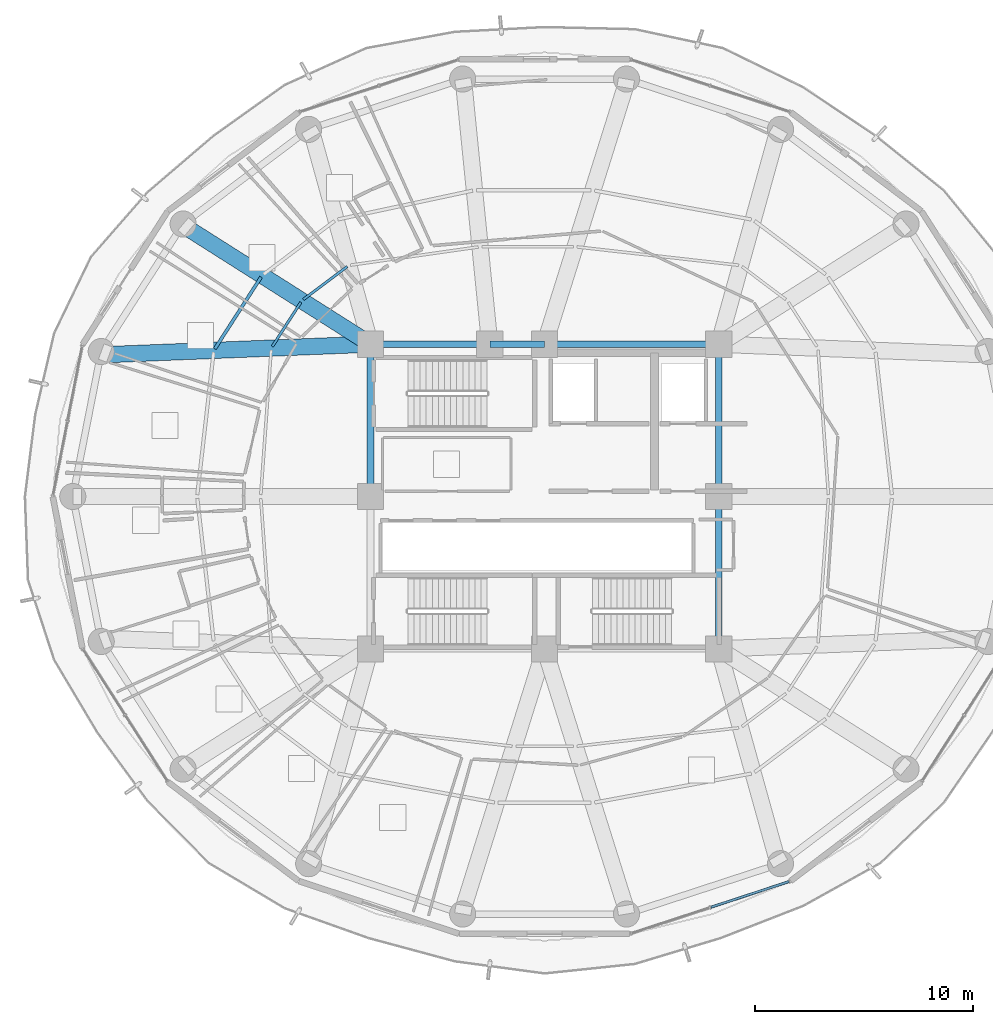
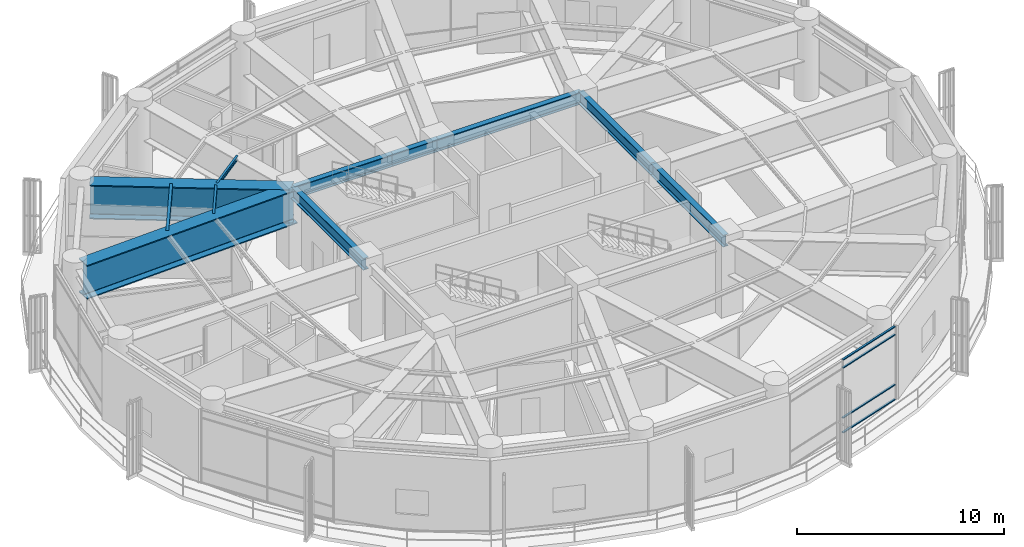
# One storey, part 9 of 28: 11 beams, 4 members, 1 element without a shape of its own.
"""IFC4 building model written with IfcOpenShell, lengths in metres."""

from ifc_helpers import new_model, si_unit, direction, frame, origin, origin_2d, place, context, subcontext, project, spatial, hollow_rectangle, i_section, extrude, material, layer, layer_set, material_profile, profile_set, type_object, element, aggregate, save


model = new_model("IFC4")

# Units and contexts
model_context = context("Model", 3, precision=1e-05, world=origin(), true_north=direction((0.0, 1.0)))
body_context = subcontext(model_context, "Body", "Model", "MODEL_VIEW")
ifc_project = project(units=[si_unit("LENGTHUNIT", "METRE"), si_unit("AREAUNIT", "SQUARE_METRE"), si_unit("VOLUMEUNIT", "CUBIC_METRE"), si_unit("PLANEANGLEUNIT", "RADIAN"), si_unit("MASSUNIT", "GRAM", prefix="KILO")], contexts=[model_context])

# Site, building, storey
site_placement = place(None, origin())
site = spatial("IfcSite", under=ifc_project, at=site_placement, CompositionType="ELEMENT")
building_placement = place(site_placement, origin())
building = spatial("IfcBuilding", under=site, at=building_placement, Name="Kelanora Arch Commons", CompositionType="ELEMENT")
storey_placement = place(building_placement, frame((0.0, 0.0, 184.35009765625)))
storey = spatial("IfcBuildingStorey", under=building, at=storey_placement, Name="L47", CompositionType="ELEMENT", Elevation=184.35009765625)

# Beams
ifc_material_1 = material(Name="Steel S355", Category="steel")
ifc_material_profile_1 = material_profile(ifc_material_1, i_section(OverallWidth=0.300048828125, OverallDepth=0.699951171875, WebThickness=0.01708984375, FlangeThickness=0.031982421875, FilletRadius=0.027099609375, at=origin_2d()), Name="HEB700")
ifc_profile_set_1 = profile_set([ifc_material_profile_1], Name="Steel S355")
beam_type_1 = type_object("IfcBeamType", Name="BM-CORE-HDR", PredefinedType="BEAM", material=ifc_profile_set_1)
for number, where, z_axis, x_axis, name in (
    (1, (82.0, 51.0, 4.010009765625), (0.0, 1.0, 0.0), (-1.0, 0.0, 0.0), "Core Header Beam 03 L47"),
    (2, (82.0, 58.0, 4.010009765625), (0.0, 1.0, 0.0), (-1.0, 0.0, 0.0), "Core Header Beam 04 L47"),
):
    element("IfcBeam", number, at=place(storey_placement, frame(where, z_axis=z_axis, x_axis=x_axis)), inside=storey, type_object=beam_type_1, Name=name, PredefinedType="BEAM", context=body_context, shape_type="SweptSolid", body=[
        extrude(i_section(OverallWidth=0.300048828125, OverallDepth=0.699951171875, WebThickness=0.01708984375, FlangeThickness=0.031982421875, FilletRadius=0.027099609375, at=origin_2d()), origin(), (0.0, 0.0, 1.0), 7.0),
    ])
beam_1_placement = place(storey_placement, frame((82.0, 65.0, 4.010009765625), z_axis=(-1.0, 0.0, 0.0), x_axis=(0.0, -1.0, 0.0)))
element("IfcBeam", 3, at=beam_1_placement, inside=storey, type_object=beam_type_1, Name="Core Header Beam 05 L47", PredefinedType="BEAM", context=body_context, shape_type="SweptSolid", body=[
    extrude(i_section(OverallWidth=0.300048828125, OverallDepth=0.699951171875, WebThickness=0.01708984375, FlangeThickness=0.031982421875, FilletRadius=0.027099609375, at=origin_2d()), origin(), (0.0, 0.0, 1.0), 8.0),
])
beam_2_placement = place(storey_placement, frame((74.0, 65.0, 4.010009765625), z_axis=(-1.0, 0.0, 0.0), x_axis=(0.0, -1.0, 0.0)))
element("IfcBeam", 4, at=beam_2_placement, inside=storey, type_object=beam_type_1, Name="Core Header Beam 06 L47", PredefinedType="BEAM", context=body_context, shape_type="SweptSolid", body=[
    extrude(i_section(OverallWidth=0.300048828125, OverallDepth=0.699951171875, WebThickness=0.01708984375, FlangeThickness=0.031982421875, FilletRadius=0.027099609375, at=origin_2d()), origin(), (0.0, 0.0, 1.0), 2.52001953125),
])
beam_3_placement = place(storey_placement, frame((71.47998046875, 65.0, 4.010009765625), z_axis=(-1.0, 0.0, 0.0), x_axis=(0.0, -1.0, 0.0)))
element("IfcBeam", 5, at=beam_3_placement, inside=storey, type_object=beam_type_1, Name="Core Header Beam 07 L47", PredefinedType="BEAM", context=body_context, shape_type="SweptSolid", body=[
    extrude(i_section(OverallWidth=0.300048828125, OverallDepth=0.699951171875, WebThickness=0.01708984375, FlangeThickness=0.031982421875, FilletRadius=0.027099609375, at=origin_2d()), origin(), (0.0, 0.0, 1.0), 5.47998046875),
])
beam_4_placement = place(storey_placement, frame((66.0, 65.0, 4.010009765625), z_axis=(0.0, -1.0, 0.0), x_axis=(1.0, 0.0, 0.0)))
element("IfcBeam", 6, at=beam_4_placement, inside=storey, type_object=beam_type_1, Name="Core Header Beam 08 L47", PredefinedType="BEAM", context=body_context, shape_type="SweptSolid", body=[
    extrude(i_section(OverallWidth=0.300048828125, OverallDepth=0.699951171875, WebThickness=0.01708984375, FlangeThickness=0.031982421875, FilletRadius=0.027099609375, at=origin_2d()), origin(), (0.0, 0.0, 1.0), 7.0),
])
ifc_material_profile_2 = material_profile(ifc_material_1, i_section(OverallWidth=0.14990234375, OverallDepth=0.300048828125, WebThickness=0.007080078125, FlangeThickness=0.0107421875, FilletRadius=0.014892578125, at=origin_2d()), Name="IPE300")
ifc_profile_set_2 = profile_set([ifc_material_profile_2], Name="Steel S355")
beam_type_2 = type_object("IfcBeamType", Name="BM-JST-01", PredefinedType="JOIST", material=ifc_profile_set_2)
beam_5_placement = place(storey_placement, frame((60.97314453125, 68.087158203125, 4.2099609375), z_axis=(-0.541411265892, -0.840757896879, 0.0), x_axis=(0.840757896879, -0.541411265892, 0.0)))
element("IfcBeam", 7, at=beam_5_placement, inside=storey, type_object=beam_type_2, Name="Secondary Chord Joist BJB-14 L47", PredefinedType="JOIST", context=body_context, shape_type="SweptSolid", body=[
    extrude(i_section(OverallWidth=0.14990234375, OverallDepth=0.300048828125, WebThickness=0.007080078125, FlangeThickness=0.0107421875, FilletRadius=0.014892578125, at=origin_2d()), origin(), (0.0, 0.0, 1.0), 3.92529296875),
])
ifc_material_profile_3 = material_profile(ifc_material_1, i_section(OverallWidth=0.1201171875, OverallDepth=0.239990234375, WebThickness=0.006103515625, FlangeThickness=0.009765625, FilletRadius=0.014892578125, at=origin_2d()), Name="IPE240")
ifc_profile_set_3 = profile_set([ifc_material_profile_3], Name="Steel S355")
beam_type_3 = type_object("IfcBeamType", Name="BM-JST-02", PredefinedType="JOIST", material=ifc_profile_set_3)
beam_6_placement = place(storey_placement, frame((64.928955078125, 68.56787109375, 4.239990234375), z_axis=(-0.79911638933, -0.601176343766, 0.0), x_axis=(0.601176343766, -0.79911638933, 0.0)))
element("IfcBeam", 8, at=beam_6_placement, inside=storey, type_object=beam_type_3, Name="Secondary Chord Joist BJA-12 L47", PredefinedType="JOIST", context=body_context, shape_type="SweptSolid", body=[
    extrude(i_section(OverallWidth=0.1201171875, OverallDepth=0.239990234375, WebThickness=0.006103515625, FlangeThickness=0.009765625, FilletRadius=0.014892578125, at=origin_2d()), origin(), (0.0, 0.0, 1.0), 2.522216796875),
])
beam_7_placement = place(storey_placement, frame((62.79931640625, 66.928955078125, 4.239990234375), z_axis=(-0.541332763503, -0.840808443796, 0.0), x_axis=(0.840808443796, -0.541332763503, 0.0)))
element("IfcBeam", 9, at=beam_7_placement, inside=storey, type_object=beam_type_3, Name="Secondary Chord Joist BJA-14 L47", PredefinedType="JOIST", context=body_context, shape_type="SweptSolid", body=[
    extrude(i_section(OverallWidth=0.1201171875, OverallDepth=0.239990234375, WebThickness=0.006103515625, FlangeThickness=0.009765625, FilletRadius=0.014892578125, at=origin_2d()), origin(), (0.0, 0.0, 1.0), 2.423583984375),
])
ifc_material_profile_4 = material_profile(ifc_material_1, i_section(OverallWidth=0.75, OverallDepth=2.0, WebThickness=0.034912109375, FlangeThickness=0.06005859375, FilletRadius=0.028076171875, at=origin_2d()), Name="PG2000x750")
ifc_profile_set_4 = profile_set([ifc_material_profile_4], Name="Steel S355")
beam_type_4 = type_object("IfcBeamType", Name="BM-XFER-SET", PredefinedType="USERDEFINED", material=ifc_profile_set_4)
beam_8_placement = place(storey_placement, frame((66.0, 65.0, 3.35986328125), z_axis=(-0.844507208607, 0.535544185489, 0.0), x_axis=(-0.535544185489, -0.844507208607, 0.0)))
element("IfcBeam", 10, at=beam_8_placement, inside=storey, type_object=beam_type_4, Name="Setback Radial Transfer Girder BRI-14 L47", ObjectType="TRANSFER_GIRDER", PredefinedType="USERDEFINED", context=body_context, shape_type="SweptSolid", body=[
    extrude(i_section(OverallWidth=0.75, OverallDepth=2.0, WebThickness=0.034912109375, FlangeThickness=0.06005859375, FilletRadius=0.028076171875, at=origin_2d()), origin(), (0.0, 0.0, 1.0), 9.830078125),
])
beam_9_placement = place(storey_placement, frame((66.0, 65.0, 3.35986328125), z_axis=(-0.999219142585, -0.03951082246, 0.0), x_axis=(0.03951082246, -0.999219142585, 0.0)))
element("IfcBeam", 11, at=beam_9_placement, inside=storey, type_object=beam_type_4, Name="Setback Radial Transfer Girder BRI-16 L47", ObjectType="TRANSFER_GIRDER", PredefinedType="USERDEFINED", context=body_context, shape_type="SweptSolid", body=[
    extrude(i_section(OverallWidth=0.75, OverallDepth=2.0, WebThickness=0.034912109375, FlangeThickness=0.06005859375, FilletRadius=0.028076171875, at=origin_2d()), origin(), (0.0, 0.0, 1.0), 12.005859375),
])

# Curtain wall, members
ifc_material_2 = material(Name="Terracotta ceramic-fritted low-E glass and aluminium", Category="masonry")
ifc_layer = layer(ifc_material_2, 0.175048828125)
ifc_layer_set = layer_set([ifc_layer], Name="Terracotta ceramic-fritted low-E glass and aluminium")
curtain_wall_type = type_object("IfcCurtainWallType", Name="CW-SYS-02", PredefinedType="NOTDEFINED", material=ifc_layer_set)
curtain_wall_placement = place(storey_placement, origin())
curtain_wall = element("IfcCurtainWall", 12, at=curtain_wall_placement, inside=storey, type_object=curtain_wall_type, Name="Unitised Curtain Wall L47-B14", PredefinedType="NOTDEFINED")
ifc_material_3 = material(Name="Powder-coated aluminium terracotta", Category="masonry")
ifc_material_profile_5 = material_profile(ifc_material_3, hollow_rectangle(XDim=0.1201171875, YDim=0.06005859375, WallThickness=0.0048828125, InnerFilletRadius=0.0048828125, OuterFilletRadius=0.010009765625, at=origin_2d()), Name="CWT120x60")
ifc_profile_set_5 = profile_set([ifc_material_profile_5], Name="Powder-coated aluminium terracotta")
member_type = type_object("IfcMemberType", Name="CWT-STD", PredefinedType="USERDEFINED", material=ifc_profile_set_5)
member_1_placement = place(storey_placement, frame((81.640625, 39.130859375, 0.02978515625), z_axis=(0.950051191155, 0.312094111104, 0.0), x_axis=(-0.312094111104, 0.950051191155, 0.0)))
member_1 = element("IfcMember", 13, at=member_1_placement, type_object=member_type, Name="CW-02 transom 2.1", ObjectType="TRANSOM", PredefinedType="USERDEFINED", context=body_context, shape_type="SweptSolid", body=[
    extrude(hollow_rectangle(XDim=0.1201171875, YDim=0.06005859375, WallThickness=0.0048828125, InnerFilletRadius=0.0048828125, OuterFilletRadius=0.010009765625, at=origin_2d()), origin(), (0.0, 0.0, 1.0), 3.77685546875),
])
member_2_placement = place(storey_placement, frame((81.640625, 39.130859375, 0.89990234375), z_axis=(0.950051191155, 0.312094111104, 0.0), x_axis=(-0.312094111104, 0.950051191155, 0.0)))
member_2 = element("IfcMember", 14, at=member_2_placement, type_object=member_type, Name="CW-02 transom 2.2", ObjectType="TRANSOM", PredefinedType="USERDEFINED", context=body_context, shape_type="SweptSolid", body=[
    extrude(hollow_rectangle(XDim=0.1201171875, YDim=0.06005859375, WallThickness=0.0048828125, InnerFilletRadius=0.0048828125, OuterFilletRadius=0.010009765625, at=origin_2d()), origin(), (0.0, 0.0, 1.0), 3.77685546875),
])
member_3_placement = place(storey_placement, frame((81.640625, 39.130859375, 3.844970703125), z_axis=(0.950051191155, 0.312094111104, 0.0), x_axis=(-0.312094111104, 0.950051191155, 0.0)))
member_3 = element("IfcMember", 15, at=member_3_placement, type_object=member_type, Name="CW-02 transom 2.3", ObjectType="TRANSOM", PredefinedType="USERDEFINED", context=body_context, shape_type="SweptSolid", body=[
    extrude(hollow_rectangle(XDim=0.1201171875, YDim=0.06005859375, WallThickness=0.0048828125, InnerFilletRadius=0.0048828125, OuterFilletRadius=0.010009765625, at=origin_2d()), origin(), (0.0, 0.0, 1.0), 3.77685546875),
])
member_4_placement = place(storey_placement, frame((81.640625, 39.130859375, 4.31494140625), z_axis=(0.950051191155, 0.312094111104, 0.0), x_axis=(-0.312094111104, 0.950051191155, 0.0)))
member_4 = element("IfcMember", 16, at=member_4_placement, type_object=member_type, Name="CW-02 transom 2.4", ObjectType="TRANSOM", PredefinedType="USERDEFINED", context=body_context, shape_type="SweptSolid", body=[
    extrude(hollow_rectangle(XDim=0.1201171875, YDim=0.06005859375, WallThickness=0.0048828125, InnerFilletRadius=0.0048828125, OuterFilletRadius=0.010009765625, at=origin_2d()), origin(), (0.0, 0.0, 1.0), 3.77685546875),
])
aggregate(curtain_wall, [member_1, member_2, member_3, member_4])

save(model, "model.ifc")
